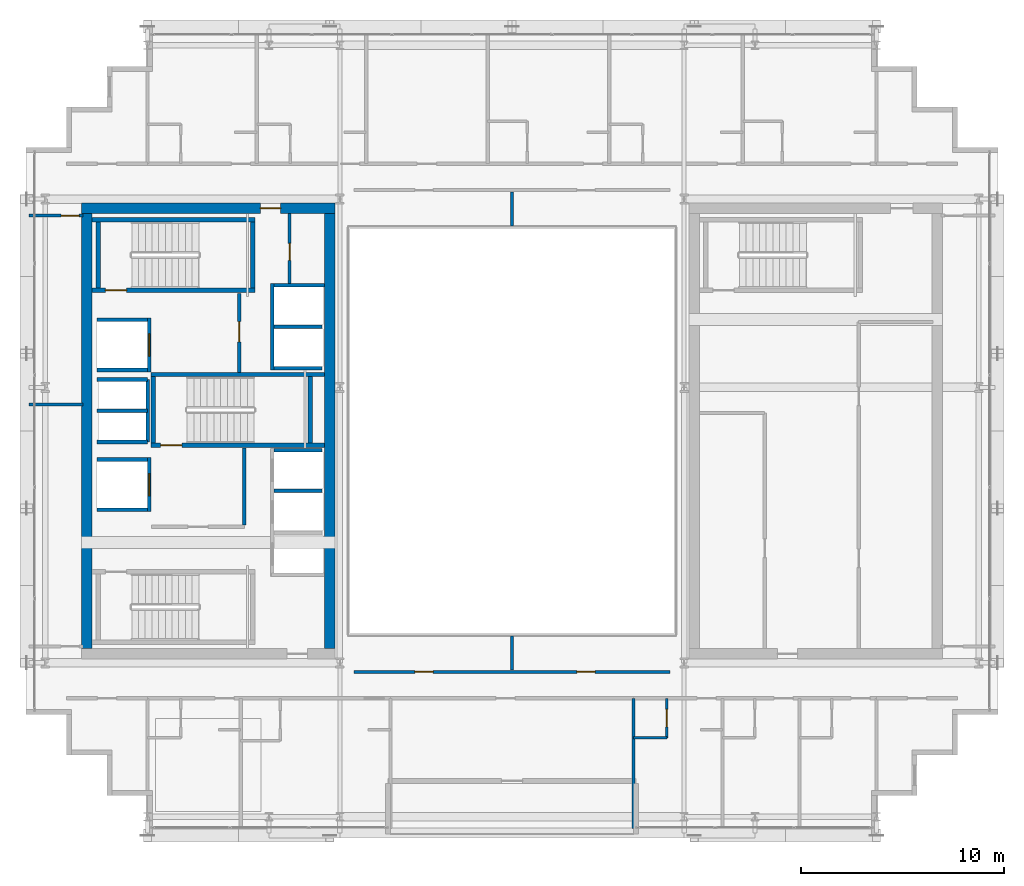
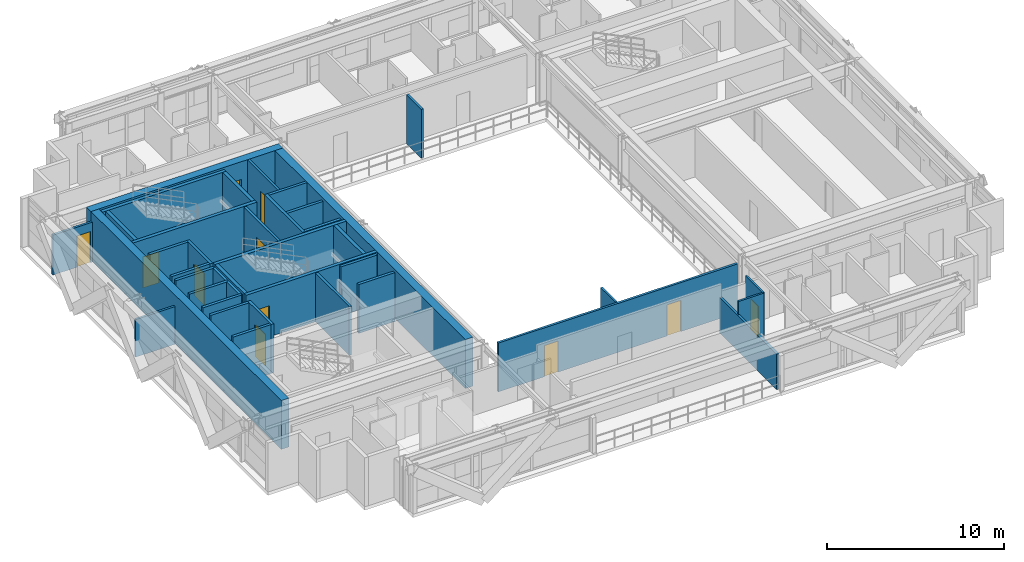
# One storey, part 25 of 32: 38 walls, 11 doors, 11 openings.
"""IFC4 building model written with IfcOpenShell, lengths in metres."""

from ifc_helpers import new_model, si_unit, direction, frame, frame_2d, origin, place, context, subcontext, project, spatial, rectangle, extrude, source, transform, mapped, material, layer, layer_set, type_object, element, fill, save


model = new_model("IFC4")

# Units and contexts
model_context = context("Model", 3, precision=1e-05, world=origin(), true_north=direction((0.0, 1.0)))
body_context = subcontext(model_context, "Body", "Model", "MODEL_VIEW")
ifc_project = project(units=[si_unit("LENGTHUNIT", "METRE"), si_unit("AREAUNIT", "SQUARE_METRE"), si_unit("VOLUMEUNIT", "CUBIC_METRE"), si_unit("PLANEANGLEUNIT", "RADIAN"), si_unit("MASSUNIT", "GRAM", prefix="KILO")], contexts=[model_context])

# Site, building, storey
site_placement = place(None, origin())
site = spatial("IfcSite", under=ifc_project, at=site_placement, CompositionType="ELEMENT")
building_placement = place(site_placement, origin())
building = spatial("IfcBuilding", under=site, at=building_placement, Name="Ocotamira Hotel", CompositionType="ELEMENT")
storey_placement = place(building_placement, frame((0.0, 0.0, 206.39990234375)))
storey = spatial("IfcBuildingStorey", under=building, at=storey_placement, Name="L52", CompositionType="ELEMENT", Elevation=206.39990234375)

# Wall, opening, door
ifc_material_1 = material(Name="Concrete C50/60", Category="concrete")
ifc_layer_1 = layer(ifc_material_1, 0.5)
ifc_layer_set_1 = layer_set([ifc_layer_1], Name="Concrete C50/60")
wall_type_1 = type_object("IfcWallType", Name="WL-CORE-500", PredefinedType="SHEAR", material=ifc_layer_set_1)
wall_1_placement = place(storey_placement, frame((10.75, 37.0, 0.0), z_axis=(0.0, 0.0, 1.0), x_axis=(1.0, 0.0, 0.0)))
wall_1 = element("IfcWall", 1, at=wall_1_placement, inside=storey, type_object=wall_type_1, Name="L52 Shear Core Wall WCORE-N", PredefinedType="SHEAR", context=body_context, shape_type="SweptSolid", body=[
    extrude(rectangle(XDim=12.5, YDim=0.5, at=frame_2d((6.25, 0.0))), origin(), (0.0, 0.0, 1.0), 3.3701171875),
])
opening_1_placement = place(wall_1_placement, frame((8.830078125, 0.0, 0.0)))
opening_1 = element("IfcOpeningElement", 2, at=opening_1_placement, cuts=wall_1, Name="Opening D-FR2", PredefinedType="OPENING", context=body_context, shape_type="SweptSolid", body=[
    extrude(rectangle(XDim=1.0, YDim=2.14990234375, at=frame_2d((0.5, 1.074951171875))), frame((0.0, 0.260009765625, 0.0), z_axis=(0.0, -1.0, 0.0), x_axis=(1.0, 0.0, 0.0)), (0.0, 0.0, 1.0), 0.52001953125),
])
ifc_material_2 = material(Name="Fire-rated acoustic timber-veneer door", Category="wood")
door_type_1 = type_object("IfcDoorType", Name="DR-FIRE-1000", OperationType="NOTDEFINED", PredefinedType="DOOR", material=ifc_material_2)
shared_shape_1 = source(origin(), body_context, "Body", "SweptSolid", [
    extrude(rectangle(XDim=1.0, YDim=2.14990234375, at=frame_2d((0.5, 1.074951171875))), frame((0.0, 0.02490234375, 0.0), z_axis=(0.0, -1.0, 0.0), x_axis=(1.0, 0.0, 0.0)), (0.0, 0.0, 1.0), 0.050048828125),
])
door_1_placement = place(opening_1_placement, origin())
door_1 = element("IfcDoor", 3, at=door_1_placement, inside=storey, type_object=door_type_1, Name="L52 Door ID-L52-WLOB-N-D [ID-L52-WLOB-N-D]", OperationType="SINGLE_SWING_RIGHT", OverallHeight=2.14990234375, OverallWidth=1.0, PredefinedType="DOOR", context=body_context, shape_type="MappedRepresentation", body=[
    mapped(shared_shape_1, transform((0.0, 0.0, 0.0), scale=1.0)),
])
fill(opening_1, door_1)

# Walls
for number, where, z_axis, x_axis, name in (
    (4, (11.0, 15.25, 0.0), (0.0, 0.0, 1.0), (0.0, 1.0, 0.0), "L52 Shear Core Wall WCORE-W"),
    (5, (23.0, 15.25, 0.0), (0.0, 0.0, 1.0), (0.0, 1.0, 0.0), "L52 Shear Core Wall WCORE-E"),
):
    element("IfcWall", number, at=place(storey_placement, frame(where, z_axis=z_axis, x_axis=x_axis)), inside=storey, type_object=wall_type_1, Name=name, PredefinedType="SHEAR", context=body_context, shape_type="SweptSolid", body=[
        extrude(rectangle(XDim=21.5, YDim=0.5, at=frame_2d((10.75, 0.0))), origin(), (0.0, 0.0, 1.0), 3.3701171875),
    ])
ifc_material_3 = material(Name="Acoustic double-layer fire gypsum board partition", Category="gypsum")
ifc_layer_2 = layer(ifc_material_3, 0.159912109375)
ifc_layer_set_2 = layer_set([ifc_layer_2], Name="Acoustic double-layer fire gypsum board partition")
wall_type_2 = type_object("IfcWallType", Name="WL-FIRE-160", PredefinedType="PARTITIONING", material=ifc_layer_set_2)
wall_2_placement = place(storey_placement, frame((18.780029296875, 21.35009765625, 0.0), z_axis=(0.0, 0.0, 1.0), x_axis=(0.0, 1.0, 0.0)))
element("IfcWall", 6, at=wall_2_placement, inside=storey, type_object=wall_type_2, Name="L52 Interior Wall PW-L52-FSAE1-E", PredefinedType="PARTITIONING", context=body_context, shape_type="SweptSolid", body=[
    extrude(rectangle(XDim=3.809814453125, YDim=0.159912109375, at=frame_2d((1.90478515625, 0.0))), origin(), (0.0, 0.0, 1.0), 3.3701171875),
])

# Wall, opening, door
wall_3_placement = place(storey_placement, frame((18.530029296875, 28.89990234375, 0.0), z_axis=(0.0, 0.0, 1.0), x_axis=(0.0, 1.0, 0.0)))
wall_3 = element("IfcWall", 7, at=wall_3_placement, inside=storey, type_object=wall_type_2, Name="L52 Interior Wall PW-L52-FSAE2-E", PredefinedType="PARTITIONING", context=body_context, shape_type="SweptSolid", body=[
    extrude(rectangle(XDim=3.900146484375, YDim=0.159912109375, at=frame_2d((1.9501953125, 0.0))), origin(), (0.0, 0.0, 1.0), 3.3701171875),
])
opening_2_placement = place(wall_3_placement, frame((1.5, 0.0, 0.0)))
opening_2 = element("IfcOpeningElement", 8, at=opening_2_placement, cuts=wall_3, Name="Opening D-FR2", PredefinedType="OPENING", context=body_context, shape_type="SweptSolid", body=[
    extrude(rectangle(XDim=1.0, YDim=2.14990234375, at=frame_2d((0.5, 1.074951171875))), frame((0.0, 0.08984375, 0.0), z_axis=(0.0, -1.0, 0.0), x_axis=(1.0, 0.0, 0.0)), (0.0, 0.0, 1.0), 0.179931640625),
])
door_2_placement = place(opening_2_placement, origin())
door_2 = element("IfcDoor", 9, at=door_2_placement, inside=storey, type_object=door_type_1, Name="L52 Door ID-L52-FSAE2-D [ID-L52-FSAE2-D]", OperationType="SINGLE_SWING_RIGHT", OverallHeight=2.14990234375, OverallWidth=1.0, PredefinedType="DOOR", context=body_context, shape_type="MappedRepresentation", body=[
    mapped(shared_shape_1, transform((0.0, 0.0, 0.0), scale=1.0)),
])
fill(opening_2, door_2)

ifc_material_4 = material(Name="Moisture-resistant en-suite tile and gypsum partition", Category="gypsum")
ifc_layer_3 = layer(ifc_material_4, 0.1201171875)
ifc_layer_set_3 = layer_set([ifc_layer_3], Name="Moisture-resistant en-suite tile and gypsum partition")
wall_type_3 = type_object("IfcWallType", Name="WL-PART-120", PredefinedType="PARTITIONING", material=ifc_layer_set_3)
wall_4_placement = place(storey_placement, frame((39.64990234375, 10.85009765625, 0.0), z_axis=(0.0, 0.0, 1.0), x_axis=(0.0, 1.0, 0.0)))
wall_4 = element("IfcWall", 10, at=wall_4_placement, inside=storey, type_object=wall_type_3, Name="L52 Interior Wall PW-L52-Z3ESE-BAE1", PredefinedType="PARTITIONING", context=body_context, shape_type="SweptSolid", body=[
    extrude(rectangle(XDim=1.949951171875, YDim=0.1201171875, at=frame_2d((0.97509765625, 0.0))), origin(), (0.0, 0.0, 1.0), 3.3701171875),
])
opening_3_placement = place(wall_4_placement, frame((0.544921875, 0.0, 0.0)))
opening_3 = element("IfcOpeningElement", 11, at=opening_3_placement, cuts=wall_4, Name="Opening D-BA1", PredefinedType="OPENING", context=body_context, shape_type="SweptSolid", body=[
    extrude(rectangle(XDim=0.860107421875, YDim=2.10009765625, at=frame_2d((0.43017578125, 1.050048828125))), frame((0.0, 0.070068359375, 0.0), z_axis=(0.0, -1.0, 0.0), x_axis=(1.0, 0.0, 0.0)), (0.0, 0.0, 1.0), 0.14013671875),
])
ifc_material_5 = material(Name="Moisture-sealed en-suite timber door", Category="wood")
door_type_2 = type_object("IfcDoorType", Name="DR-BATH-860", OperationType="NOTDEFINED", PredefinedType="DOOR", material=ifc_material_5)
shared_shape_2 = source(origin(), body_context, "Body", "SweptSolid", [
    extrude(rectangle(XDim=0.860107421875, YDim=2.10009765625, at=frame_2d((0.43017578125, 1.050048828125))), frame((0.0, 0.02490234375, 0.0), z_axis=(0.0, -1.0, 0.0), x_axis=(1.0, 0.0, 0.0)), (0.0, 0.0, 1.0), 0.050048828125),
])
door_3_placement = place(opening_3_placement, origin())
door_3 = element("IfcDoor", 12, at=door_3_placement, inside=storey, type_object=door_type_2, Name="L52 Door ID-L52-Z3ESE-BAD1 [ID-L52-Z3ESE-BAD1]", OperationType="SINGLE_SWING_RIGHT", OverallHeight=2.10009765625, OverallWidth=0.860107421875, PredefinedType="DOOR", context=body_context, shape_type="MappedRepresentation", body=[
    mapped(shared_shape_2, transform((0.0, 0.0, 0.0), scale=1.0)),
])
fill(opening_3, door_3)

# Wall
wall_5_placement = place(storey_placement, frame((38.0, 10.85009765625, 0.0), z_axis=(0.0, 0.0, 1.0), x_axis=(1.0, 0.0, 0.0)))
element("IfcWall", 13, at=wall_5_placement, inside=storey, type_object=wall_type_3, Name="L52 Interior Wall PW-L52-Z3ESE-BAS1", PredefinedType="PARTITIONING", context=body_context, shape_type="SweptSolid", body=[
    extrude(rectangle(XDim=1.64990234375, YDim=0.1201171875, at=frame_2d((0.824951171875, 0.0))), origin(), (0.0, 0.0, 1.0), 3.3701171875),
])

# Wall, opening, door
ifc_material_6 = material(Name="Acoustic hospitality gypsum board partition", Category="gypsum")
ifc_layer_4 = layer(ifc_material_6, 0.14208984375)
ifc_layer_set_4 = layer_set([ifc_layer_4], Name="Acoustic hospitality gypsum board partition")
wall_type_4 = type_object("IfcWallType", Name="WL-PART-142", PredefinedType="PARTITIONING", material=ifc_layer_set_4)
wall_6_placement = place(storey_placement, frame((21.02001953125, 33.280029296875, 0.0), z_axis=(0.0, 0.0, 1.0), x_axis=(0.0, 1.0, 0.0)))
wall_6 = element("IfcWall", 14, at=wall_6_placement, inside=storey, type_object=wall_type_4, Name="L52 Interior Wall PW-L52-WC-NE-W", PredefinedType="PARTITIONING", context=body_context, shape_type="SweptSolid", body=[
    extrude(rectangle(XDim=3.469970703125, YDim=0.14208984375, at=frame_2d((1.73486328125, 0.0))), origin(), (0.0, 0.0, 1.0), 3.3701171875),
])
opening_4_placement = place(wall_6_placement, frame((1.14990234375, 0.0, 0.0)))
opening_4 = element("IfcOpeningElement", 15, at=opening_4_placement, cuts=wall_6, Name="Opening D-SV1", PredefinedType="OPENING", context=body_context, shape_type="SweptSolid", body=[
    extrude(rectangle(XDim=0.840087890625, YDim=2.10009765625, at=frame_2d((0.419921875, 1.050048828125))), frame((0.0, 0.0810546875, 0.0), z_axis=(0.0, -1.0, 0.0), x_axis=(1.0, 0.0, 0.0)), (0.0, 0.0, 1.0), 0.162109375),
])
ifc_material_7 = material(Name="Fire-rated painted steel service door", Category="steel")
door_type_3 = type_object("IfcDoorType", Name="DR-SERV-840", OperationType="NOTDEFINED", PredefinedType="DOOR", material=ifc_material_7)
shared_shape_3 = source(origin(), body_context, "Body", "SweptSolid", [
    extrude(rectangle(XDim=0.840087890625, YDim=2.10009765625, at=frame_2d((0.419921875, 1.050048828125))), frame((0.0, 0.02490234375, 0.0), z_axis=(0.0, -1.0, 0.0), x_axis=(1.0, 0.0, 0.0)), (0.0, 0.0, 1.0), 0.050048828125),
])
door_4_placement = place(opening_4_placement, origin())
door_4 = element("IfcDoor", 16, at=door_4_placement, inside=storey, type_object=door_type_3, Name="L52 Door ID-L52-WC-NE-D [ID-L52-WC-NE-D]", OperationType="SINGLE_SWING_LEFT", OverallHeight=2.10009765625, OverallWidth=0.840087890625, PredefinedType="DOOR", context=body_context, shape_type="MappedRepresentation", body=[
    mapped(shared_shape_3, transform((0.0, 0.0, 0.0), scale=1.0)),
])
fill(opening_4, door_4)

# Walls
for number, where, z_axis, x_axis, name in (
    (17, (32.0, 14.199951171875, 0.0), (0.0, 0.0, 1.0), (0.0, 1.0, 0.0), "L52 Interior Wall PW-L52-Z3E-ASD1"),
    (18, (32.0, 36.1201171875, 0.0), (0.0, 0.0, 1.0), (0.0, 1.0, 0.0), "L52 Interior Wall PW-L52-Z3E-AND1"),
):
    element("IfcWall", number, at=place(storey_placement, frame(where, z_axis=z_axis, x_axis=x_axis)), inside=storey, type_object=wall_type_4, Name=name, PredefinedType="PARTITIONING", context=body_context, shape_type="SweptSolid", body=[
        extrude(rectangle(XDim=1.679931640625, YDim=0.14208984375, at=frame_2d((0.83984375, 0.0))), origin(), (0.0, 0.0, 1.0), 3.3701171875),
    ])
wall_7_placement = place(storey_placement, frame((8.159912109375, 27.300048828125, 0.0), z_axis=(0.0, 0.0, 1.0), x_axis=(1.0, 0.0, 0.0)))
element("IfcWall", 19, at=wall_7_placement, inside=storey, type_object=wall_type_4, Name="L52 Interior Wall PW-L52-Z3E-WF-DV1", PredefinedType="PARTITIONING", context=body_context, shape_type="SweptSolid", body=[
    extrude(rectangle(XDim=2.66015625, YDim=0.14208984375, at=frame_2d((1.330078125, 0.0))), origin(), (0.0, 0.0, 1.0), 2.591064453125),
])

# Wall, openings, doors
ifc_layer_5 = layer(ifc_material_6, 0.14990234375)
ifc_layer_set_5 = layer_set([ifc_layer_5], Name="Acoustic hospitality gypsum board partition")
wall_type_5 = type_object("IfcWallType", Name="WL-PART-150", PredefinedType="PARTITIONING", material=ifc_layer_set_5)
wall_8_placement = place(storey_placement, frame((24.199951171875, 14.10009765625, 0.0), z_axis=(0.0, 0.0, 1.0), x_axis=(1.0, 0.0, 0.0)))
wall_8 = element("IfcWall", 20, at=wall_8_placement, inside=storey, type_object=wall_type_5, Name="L52 Interior Wall PW-L52-Z3E-ATRSW", PredefinedType="PARTITIONING", context=body_context, shape_type="SweptSolid", body=[
    extrude(rectangle(XDim=15.60009765625, YDim=0.14990234375, at=frame_2d((7.800048828125, 0.0))), origin(), (0.0, 0.0, 1.0), 3.3701171875),
])
opening_5_placement = place(wall_8_placement, frame((3.0, 0.0, 0.0)))
opening_5 = element("IfcOpeningElement", 21, at=opening_5_placement, cuts=wall_8, Name="Opening D-IN3", PredefinedType="OPENING", context=body_context, shape_type="SweptSolid", body=[
    extrude(rectangle(XDim=0.89990234375, YDim=2.14990234375, at=frame_2d((0.449951171875, 1.074951171875))), frame((0.0, 0.0849609375, 0.0), z_axis=(0.0, -1.0, 0.0), x_axis=(1.0, 0.0, 0.0)), (0.0, 0.0, 1.0), 0.169921875),
])
opening_6_placement = place(wall_8_placement, frame((11.0, 0.0, 0.0)))
opening_6 = element("IfcOpeningElement", 22, at=opening_6_placement, cuts=wall_8, Name="Opening D-IN3", PredefinedType="OPENING", context=body_context, shape_type="SweptSolid", body=[
    extrude(rectangle(XDim=0.89990234375, YDim=2.14990234375, at=frame_2d((0.449951171875, 1.074951171875))), frame((0.0, 0.0849609375, 0.0), z_axis=(0.0, -1.0, 0.0), x_axis=(1.0, 0.0, 0.0)), (0.0, 0.0, 1.0), 0.169921875),
])
ifc_material_8 = material(Name="Painted service room door", Category="steel")
door_type_4 = type_object("IfcDoorType", Name="DR-INT-900", OperationType="NOTDEFINED", PredefinedType="DOOR", material=ifc_material_8)
shared_shape_4 = source(origin(), body_context, "Body", "SweptSolid", [
    extrude(rectangle(XDim=0.89990234375, YDim=2.14990234375, at=frame_2d((0.449951171875, 1.074951171875))), frame((0.0, 0.02490234375, 0.0), z_axis=(0.0, -1.0, 0.0), x_axis=(1.0, 0.0, 0.0)), (0.0, 0.0, 1.0), 0.050048828125),
])
door_5_placement = place(opening_5_placement, origin())
door_5 = element("IfcDoor", 23, at=door_5_placement, inside=storey, type_object=door_type_4, Name="L52 Door ID-L52-Z3E-ASD1D [ID-L52-Z3E-ASD1D]", OperationType="SINGLE_SWING_LEFT", OverallHeight=2.14990234375, OverallWidth=0.89990234375, PredefinedType="DOOR", context=body_context, shape_type="MappedRepresentation", body=[
    mapped(shared_shape_4, transform((0.0, 0.0, 0.0), scale=1.0)),
])
fill(opening_5, door_5)
door_6_placement = place(opening_6_placement, origin())
door_6 = element("IfcDoor", 24, at=door_6_placement, inside=storey, type_object=door_type_4, Name="L52 Door ID-L52-Z3E-ASD2D [ID-L52-Z3E-ASD2D]", OperationType="SINGLE_SWING_RIGHT", OverallHeight=2.14990234375, OverallWidth=0.89990234375, PredefinedType="DOOR", context=body_context, shape_type="MappedRepresentation", body=[
    mapped(shared_shape_4, transform((0.0, 0.0, 0.0), scale=1.0)),
])
fill(opening_6, door_6)

# Wall, opening, door
wall_9_placement = place(storey_placement, frame((8.159912109375, 36.639892578125, 0.0), z_axis=(0.0, 0.0, 1.0), x_axis=(1.0, 0.0, 0.0)))
wall_9 = element("IfcWall", 25, at=wall_9_placement, inside=storey, type_object=wall_type_5, Name="L52 Interior Wall PW-L52-Z3E-WF-WN", PredefinedType="PARTITIONING", context=body_context, shape_type="SweptSolid", body=[
    extrude(rectangle(XDim=2.66015625, YDim=0.14990234375, at=frame_2d((1.330078125, 0.0))), origin(), (0.0, 0.0, 1.0), 2.753173828125),
])
opening_7_placement = place(wall_9_placement, frame((1.580078125, 0.0, 0.0)))
opening_7 = element("IfcOpeningElement", 26, at=opening_7_placement, cuts=wall_9, Name="Opening D-SV2", PredefinedType="OPENING", context=body_context, shape_type="SweptSolid", body=[
    extrude(rectangle(XDim=0.8798828125, YDim=2.14990234375, at=frame_2d((0.43994140625, 1.074951171875))), frame((0.0, 0.0849609375, 0.0), z_axis=(0.0, -1.0, 0.0), x_axis=(1.0, 0.0, 0.0)), (0.0, 0.0, 1.0), 0.169921875),
])
door_type_5 = type_object("IfcDoorType", Name="DR-SERV-880", OperationType="NOTDEFINED", PredefinedType="DOOR", material=ifc_material_7)
shared_shape_5 = source(origin(), body_context, "Body", "SweptSolid", [
    extrude(rectangle(XDim=0.8798828125, YDim=2.14990234375, at=frame_2d((0.43994140625, 1.074951171875))), frame((0.0, 0.02490234375, 0.0), z_axis=(0.0, -1.0, 0.0), x_axis=(1.0, 0.0, 0.0)), (0.0, 0.0, 1.0), 0.050048828125),
])
door_7_placement = place(opening_7_placement, origin())
door_7 = element("IfcDoor", 27, at=door_7_placement, inside=storey, type_object=door_type_5, Name="L52 Door ID-L52-Z3E-WF-DN [ID-L52-Z3E-WF-DN]", OperationType="SINGLE_SWING_RIGHT", OverallHeight=2.14990234375, OverallWidth=0.8798828125, PredefinedType="DOOR", context=body_context, shape_type="MappedRepresentation", body=[
    mapped(shared_shape_5, transform((0.0, 0.0, 0.0), scale=1.0)),
])
fill(opening_7, door_7)

# Walls
ifc_material_9 = material(Name="Acoustic double-stud hospitality gypsum partition", Category="gypsum")
ifc_layer_6 = layer(ifc_material_9, 0.159912109375)
ifc_layer_set_6 = layer_set([ifc_layer_6], Name="Acoustic double-stud hospitality gypsum partition")
wall_type_6 = type_object("IfcWallType", Name="WL-PART-160", PredefinedType="PARTITIONING", material=ifc_layer_set_6)
wall_10_placement = place(storey_placement, frame((38.0, 6.360107421875, 0.0), z_axis=(0.0, 0.0, 1.0), x_axis=(0.0, 1.0, 0.0)))
element("IfcWall", 28, at=wall_10_placement, inside=storey, type_object=wall_type_6, Name="L52 Interior Wall PW-L52-Z3ESE-PW0", PredefinedType="PARTITIONING", context=body_context, shape_type="SweptSolid", body=[
    extrude(rectangle(XDim=6.43994140625, YDim=0.159912109375, at=frame_2d((3.219970703125, 0.0))), origin(), (0.0, 0.0, 1.0), 2.443115234375),
])
ifc_material_10 = material(Name="Fire-rated gypsum shaftliner board assembly", Category="gypsum")
ifc_layer_7 = layer(ifc_material_10, 0.179931640625)
ifc_layer_set_7 = layer_set([ifc_layer_7], Name="Fire-rated gypsum shaftliner board assembly")
wall_type_7 = type_object("IfcWallType", Name="WL-SHAFT-180", PredefinedType="SOLIDWALL", material=ifc_layer_set_7)
for number, where, z_axis, x_axis, name in (
    (29, (20.25, 25.050048828125, 0.0), (0.0, 0.0, 1.0), (1.0, 0.0, 0.0), "L52 Interior Wall PW-L52-LFW-BANK-high-N"),
    (30, (20.25, 23.044921875, 0.0), (0.0, 0.0, 1.0), (1.0, 0.0, 0.0), "L52 Interior Wall PW-L52-LFW-DIV-LF-P8"),
):
    element("IfcWall", number, at=place(storey_placement, frame(where, z_axis=z_axis, x_axis=x_axis)), inside=storey, type_object=wall_type_7, Name=name, PredefinedType="SOLIDWALL", context=body_context, shape_type="SweptSolid", body=[
        extrude(rectangle(XDim=2.360107421875, YDim=0.179931640625, at=frame_2d((1.18017578125, 0.0))), origin(), (0.0, 0.0, 1.0), 3.3701171875),
    ])
wall_11_placement = place(storey_placement, frame((20.159912109375, 29.0, 0.0), z_axis=(0.0, 0.0, 1.0), x_axis=(0.0, 1.0, 0.0)))
element("IfcWall", 31, at=wall_11_placement, inside=storey, type_object=wall_type_7, Name="L52 Interior Wall PW-L52-LFW-BANK-obs-F", PredefinedType="SOLIDWALL", context=body_context, shape_type="SweptSolid", body=[
    extrude(rectangle(XDim=4.2900390625, YDim=0.179931640625, at=frame_2d((2.14501953125, 0.0))), origin(), (0.0, 0.0, 1.0), 3.3701171875),
])
wall_12_placement = place(storey_placement, frame((20.25, 29.090087890625, 0.0), z_axis=(0.0, 0.0, 1.0), x_axis=(1.0, 0.0, 0.0)))
element("IfcWall", 32, at=wall_12_placement, inside=storey, type_object=wall_type_7, Name="L52 Interior Wall PW-L52-LFW-BANK-obs-S", PredefinedType="SOLIDWALL", context=body_context, shape_type="SweptSolid", body=[
    extrude(rectangle(XDim=2.360107421875, YDim=0.179931640625, at=frame_2d((1.18017578125, 0.0))), origin(), (0.0, 0.0, 1.0), 3.3701171875),
])
wall_13_placement = place(storey_placement, frame((20.25, 33.199951171875, 0.0), z_axis=(0.0, 0.0, 1.0), x_axis=(1.0, 0.0, 0.0)))
element("IfcWall", 33, at=wall_13_placement, inside=storey, type_object=wall_type_7, Name="L52 Interior Wall PW-L52-LFW-BANK-obs-N", PredefinedType="SOLIDWALL", context=body_context, shape_type="SweptSolid", body=[
    extrude(rectangle(XDim=2.5, YDim=0.179931640625, at=frame_2d((1.25, 0.0))), origin(), (0.0, 0.0, 1.0), 3.3701171875),
])
wall_14_placement = place(storey_placement, frame((20.25, 31.14501953125, 0.0), z_axis=(0.0, 0.0, 1.0), x_axis=(1.0, 0.0, 0.0)))
element("IfcWall", 34, at=wall_14_placement, inside=storey, type_object=wall_type_7, Name="L52 Interior Wall PW-L52-LFW-DIV-LF-OBS1", PredefinedType="SOLIDWALL", context=body_context, shape_type="SweptSolid", body=[
    extrude(rectangle(XDim=2.360107421875, YDim=0.179931640625, at=frame_2d((1.18017578125, 0.0))), origin(), (0.0, 0.0, 1.0), 3.3701171875),
])
for number, where, z_axis, x_axis, name in (
    (35, (11.5, 22.110107421875, 0.0), (0.0, 0.0, 1.0), (1.0, 0.0, 0.0), "L52 Interior Wall PW-L52-LFW-LF-FSAE1-S"),
    (36, (11.5, 24.590087890625, 0.0), (0.0, 0.0, 1.0), (1.0, 0.0, 0.0), "L52 Interior Wall PW-L52-LFW-LF-FSAE1-N"),
):
    element("IfcWall", number, at=place(storey_placement, frame(where, z_axis=z_axis, x_axis=x_axis)), inside=storey, type_object=wall_type_7, Name=name, PredefinedType="SOLIDWALL", context=body_context, shape_type="SweptSolid", body=[
        extrude(rectangle(XDim=2.5, YDim=0.179931640625, at=frame_2d((1.25, 0.0))), origin(), (0.0, 0.0, 1.0), 3.3701171875),
    ])

# Wall, opening, door
wall_15_placement = place(storey_placement, frame((14.090087890625, 22.02001953125, 0.0), z_axis=(0.0, 0.0, 1.0), x_axis=(0.0, 1.0, 0.0)))
wall_15 = element("IfcWall", 37, at=wall_15_placement, inside=storey, type_object=wall_type_7, Name="L52 Interior Wall PW-L52-LFW-LF-FSAE1-E", PredefinedType="SOLIDWALL", context=body_context, shape_type="SweptSolid", body=[
    extrude(rectangle(XDim=2.659912109375, YDim=0.179931640625, at=frame_2d((1.330078125, 0.0))), origin(), (0.0, 0.0, 1.0), 3.3701171875),
])
opening_8_placement = place(wall_15_placement, frame((0.780029296875, 0.0, 0.0)))
opening_8 = element("IfcOpeningElement", 38, at=opening_8_placement, cuts=wall_15, Name="Opening LD-LF-FSAE1", PredefinedType="OPENING", context=body_context, shape_type="SweptSolid", body=[
    extrude(rectangle(XDim=1.10009765625, YDim=2.199951171875, at=frame_2d((0.550048828125, 1.10009765625))), frame((0.0, 0.10009765625, 0.0), z_axis=(0.0, -1.0, 0.0), x_axis=(1.0, 0.0, 0.0)), (0.0, 0.0, 1.0), 0.199951171875),
])
ifc_material_11 = material(Name="Brushed pale-metal stainless elevator landing door", Category="steel")
door_type_6 = type_object("IfcDoorType", Name="DR-LIFT-1100", OperationType="NOTDEFINED", PredefinedType="DOOR", material=ifc_material_11)
shared_shape_6 = source(origin(), body_context, "Body", "SweptSolid", [
    extrude(rectangle(XDim=1.10009765625, YDim=2.199951171875, at=frame_2d((0.550048828125, 1.10009765625))), frame((0.0, 0.02490234375, 0.0), z_axis=(0.0, -1.0, 0.0), x_axis=(1.0, 0.0, 0.0)), (0.0, 0.0, 1.0), 0.050048828125),
])
door_8_placement = place(opening_8_placement, origin())
door_8 = element("IfcDoor", 39, at=door_8_placement, inside=storey, type_object=door_type_6, Name="L52 Landing Door LD-LF-FSAE1 [ID-L52-LD-LF-FSAE1]", OperationType="DOUBLE_DOOR_SLIDING", OverallHeight=2.199951171875, OverallWidth=1.10009765625, PredefinedType="DOOR", context=body_context, shape_type="MappedRepresentation", body=[
    mapped(shared_shape_6, transform((0.0, 0.0, 0.0), scale=1.0)),
])
fill(opening_8, door_8)

# Walls
for number, where, z_axis, x_axis, name in (
    (40, (11.5, 29.010009765625, 0.0), (0.0, 0.0, 1.0), (1.0, 0.0, 0.0), "L52 Interior Wall PW-L52-LFW-LF-FSAE2-S"),
    (41, (11.5, 31.489990234375, 0.0), (0.0, 0.0, 1.0), (1.0, 0.0, 0.0), "L52 Interior Wall PW-L52-LFW-LF-FSAE2-N"),
):
    element("IfcWall", number, at=place(storey_placement, frame(where, z_axis=z_axis, x_axis=x_axis)), inside=storey, type_object=wall_type_7, Name=name, PredefinedType="SOLIDWALL", context=body_context, shape_type="SweptSolid", body=[
        extrude(rectangle(XDim=2.5, YDim=0.179931640625, at=frame_2d((1.25, 0.0))), origin(), (0.0, 0.0, 1.0), 3.3701171875),
    ])

# Wall, opening, door
wall_16_placement = place(storey_placement, frame((14.090087890625, 28.919921875, 0.0), z_axis=(0.0, 0.0, 1.0), x_axis=(0.0, 1.0, 0.0)))
wall_16 = element("IfcWall", 42, at=wall_16_placement, inside=storey, type_object=wall_type_7, Name="L52 Interior Wall PW-L52-LFW-LF-FSAE2-E", PredefinedType="SOLIDWALL", context=body_context, shape_type="SweptSolid", body=[
    extrude(rectangle(XDim=2.66015625, YDim=0.179931640625, at=frame_2d((1.330078125, 0.0))), origin(), (0.0, 0.0, 1.0), 3.3701171875),
])
opening_9_placement = place(wall_16_placement, frame((0.780029296875, 0.0, 0.0)))
opening_9 = element("IfcOpeningElement", 43, at=opening_9_placement, cuts=wall_16, Name="Opening LD-LF-FSAE2", PredefinedType="OPENING", context=body_context, shape_type="SweptSolid", body=[
    extrude(rectangle(XDim=1.10009765625, YDim=2.199951171875, at=frame_2d((0.550048828125, 1.10009765625))), frame((0.0, 0.10009765625, 0.0), z_axis=(0.0, -1.0, 0.0), x_axis=(1.0, 0.0, 0.0)), (0.0, 0.0, 1.0), 0.199951171875),
])
door_9_placement = place(opening_9_placement, origin())
door_9 = element("IfcDoor", 44, at=door_9_placement, inside=storey, type_object=door_type_6, Name="L52 Landing Door LD-LF-FSAE2 [ID-L52-LD-LF-FSAE2]", OperationType="DOUBLE_DOOR_SLIDING", OverallHeight=2.199951171875, OverallWidth=1.10009765625, PredefinedType="DOOR", context=body_context, shape_type="MappedRepresentation", body=[
    mapped(shared_shape_6, transform((0.0, 0.0, 0.0), scale=1.0)),
])
fill(opening_9, door_9)

# Walls
for number, where, z_axis, x_axis, name in (
    (45, (11.5, 25.4599609375, 0.0), (0.0, 0.0, 1.0), (1.0, 0.0, 0.0), "L52 Interior Wall PW-L52-RSW-S"),
    (46, (11.5, 27.0, 0.0), (0.0, 0.0, 1.0), (1.0, 0.0, 0.0), "L52 Interior Wall PW-L52-RSW-MID"),
    (47, (11.5, 28.5400390625, 0.0), (0.0, 0.0, 1.0), (1.0, 0.0, 0.0), "L52 Interior Wall PW-L52-RSW-N"),
):
    element("IfcWall", number, at=place(storey_placement, frame(where, z_axis=z_axis, x_axis=x_axis)), inside=storey, type_object=wall_type_7, Name=name, PredefinedType="SOLIDWALL", context=body_context, shape_type="SweptSolid", body=[
        extrude(rectangle(XDim=2.510009765625, YDim=0.179931640625, at=frame_2d((1.2548828125, 0.0))), origin(), (0.0, 0.0, 1.0), 3.3701171875),
    ])
wall_17_placement = place(storey_placement, frame((14.010009765625, 25.4599609375, 0.0), z_axis=(0.0, 0.0, 1.0), x_axis=(0.0, 1.0, 0.0)))
element("IfcWall", 48, at=wall_17_placement, inside=storey, type_object=wall_type_7, Name="L52 Interior Wall PW-L52-RSW-E", PredefinedType="SOLIDWALL", context=body_context, shape_type="SweptSolid", body=[
    extrude(rectangle(XDim=3.080078125, YDim=0.179931640625, at=frame_2d((1.5400390625, 0.0))), origin(), (0.0, 0.0, 1.0), 3.3701171875),
])

# Wall, opening, door
ifc_layer_8 = layer(ifc_material_1, 0.219970703125)
ifc_layer_set_8 = layer_set([ifc_layer_8], Name="Concrete C50/60")
wall_type_8 = type_object("IfcWallType", Name="WL-STAIR-220", PredefinedType="SHEAR", material=ifc_layer_set_8)
wall_18_placement = place(storey_placement, frame((11.25, 32.93994140625, 0.0), z_axis=(0.0, 0.0, 1.0), x_axis=(1.0, 0.0, 0.0)))
wall_18 = element("IfcWall", 49, at=wall_18_placement, inside=storey, type_object=wall_type_8, Name="L52 Stair Shaft Structural Wall ST-2-S", PredefinedType="SHEAR", context=body_context, shape_type="SweptSolid", body=[
    extrude(rectangle(XDim=8.06005859375, YDim=0.219970703125, at=frame_2d((4.030029296875, 0.0))), origin(), (0.0, 0.0, 1.0), 3.400146484375),
])
opening_10_placement = place(wall_18_placement, frame((0.669921875, 0.0, 0.0)))
opening_10 = element("IfcOpeningElement", 50, at=opening_10_placement, cuts=wall_18, Name="Opening D-ST2", PredefinedType="OPENING", context=body_context, shape_type="SweptSolid", body=[
    extrude(rectangle(XDim=1.050048828125, YDim=2.14990234375, at=frame_2d((0.52490234375, 1.074951171875))), frame((0.0, 0.1201171875, 0.0), z_axis=(0.0, -1.0, 0.0), x_axis=(1.0, 0.0, 0.0)), (0.0, 0.0, 1.0), 0.239990234375),
])
ifc_material_12 = material(Name="Insulated painted hollow-metal fire exit door", Category="steel")
door_type_7 = type_object("IfcDoorType", Name="DR-STAIR-1050", OperationType="NOTDEFINED", PredefinedType="DOOR", material=ifc_material_12)
shared_shape_7 = source(origin(), body_context, "Body", "SweptSolid", [
    extrude(rectangle(XDim=1.050048828125, YDim=2.14990234375, at=frame_2d((0.52490234375, 1.074951171875))), frame((0.0, 0.02490234375, 0.0), z_axis=(0.0, -1.0, 0.0), x_axis=(1.0, 0.0, 0.0)), (0.0, 0.0, 1.0), 0.050048828125),
])
door_10_placement = place(opening_10_placement, origin())
door_10 = element("IfcDoor", 51, at=door_10_placement, inside=storey, type_object=door_type_7, Name="L52 Door ID-L52-STD-ST-2 [ID-L52-STD-ST-2]", OperationType="SINGLE_SWING_RIGHT", OverallHeight=2.14990234375, OverallWidth=1.050048828125, PredefinedType="DOOR", context=body_context, shape_type="MappedRepresentation", body=[
    mapped(shared_shape_7, transform((0.0, 0.0, 0.0), scale=1.0)),
])
fill(opening_10, door_10)

# Walls
wall_19_placement = place(storey_placement, frame((11.25, 36.43994140625, 0.0), z_axis=(0.0, 0.0, 1.0), x_axis=(1.0, 0.0, 0.0)))
element("IfcWall", 52, at=wall_19_placement, inside=storey, type_object=wall_type_8, Name="L52 Stair Shaft Structural Wall ST-2-N", PredefinedType="SHEAR", context=body_context, shape_type="SweptSolid", body=[
    extrude(rectangle(XDim=8.06005859375, YDim=0.219970703125, at=frame_2d((4.030029296875, 0.0))), origin(), (0.0, 0.0, 1.0), 3.400146484375),
])
for number, where, z_axis, x_axis, name in (
    (53, (11.56005859375, 33.050048828125, 0.0), (0.0, 0.0, 1.0), (0.0, 1.0, 0.0), "L52 Stair Shaft Structural Wall ST-2-W"),
    (54, (19.199951171875, 33.050048828125, 0.0), (0.0, 0.0, 1.0), (0.0, 1.0, 0.0), "L52 Stair Shaft Structural Wall ST-2-E"),
):
    element("IfcWall", number, at=place(storey_placement, frame(where, z_axis=z_axis, x_axis=x_axis)), inside=storey, type_object=wall_type_8, Name=name, PredefinedType="SHEAR", context=body_context, shape_type="SweptSolid", body=[
        extrude(rectangle(XDim=3.280029296875, YDim=0.219970703125, at=frame_2d((1.64013671875, 0.0))), origin(), (0.0, 0.0, 1.0), 3.400146484375),
    ])

# Wall, opening, door
wall_20_placement = place(storey_placement, frame((14.179931640625, 25.2900390625, 0.0), z_axis=(0.0, 0.0, 1.0), x_axis=(1.0, 0.0, 0.0)))
wall_20 = element("IfcWall", 55, at=wall_20_placement, inside=storey, type_object=wall_type_8, Name="L52 Stair Shaft Structural Wall ST-3-S", PredefinedType="SHEAR", context=body_context, shape_type="SweptSolid", body=[
    extrude(rectangle(XDim=8.570068359375, YDim=0.219970703125, at=frame_2d((4.28515625, 0.0))), origin(), (0.0, 0.0, 1.0), 3.400146484375),
])
opening_11_placement = place(wall_20_placement, frame((0.469970703125, 0.0, 0.0)))
opening_11 = element("IfcOpeningElement", 56, at=opening_11_placement, cuts=wall_20, Name="Opening D-ST2", PredefinedType="OPENING", context=body_context, shape_type="SweptSolid", body=[
    extrude(rectangle(XDim=1.050048828125, YDim=2.14990234375, at=frame_2d((0.52490234375, 1.074951171875))), frame((0.0, 0.1201171875, 0.0), z_axis=(0.0, -1.0, 0.0), x_axis=(1.0, 0.0, 0.0)), (0.0, 0.0, 1.0), 0.239990234375),
])
door_11_placement = place(opening_11_placement, origin())
door_11 = element("IfcDoor", 57, at=door_11_placement, inside=storey, type_object=door_type_7, Name="L52 Door ID-L52-STD-ST-3 [ID-L52-STD-ST-3]", OperationType="SINGLE_SWING_LEFT", OverallHeight=2.14990234375, OverallWidth=1.050048828125, PredefinedType="DOOR", context=body_context, shape_type="MappedRepresentation", body=[
    mapped(shared_shape_7, transform((0.0, 0.0, 0.0), scale=1.0)),
])
fill(opening_11, door_11)

# Walls
wall_21_placement = place(storey_placement, frame((14.179931640625, 28.7900390625, 0.0), z_axis=(0.0, 0.0, 1.0), x_axis=(1.0, 0.0, 0.0)))
element("IfcWall", 58, at=wall_21_placement, inside=storey, type_object=wall_type_8, Name="L52 Stair Shaft Structural Wall ST-3-N", PredefinedType="SHEAR", context=body_context, shape_type="SweptSolid", body=[
    extrude(rectangle(XDim=8.570068359375, YDim=0.219970703125, at=frame_2d((4.28515625, 0.0))), origin(), (0.0, 0.0, 1.0), 3.400146484375),
])
for number, where, z_axis, x_axis, name in (
    (59, (14.2900390625, 25.39990234375, 0.0), (0.0, 0.0, 1.0), (0.0, 1.0, 0.0), "L52 Stair Shaft Structural Wall ST-3-W"),
    (60, (22.030029296875, 25.39990234375, 0.0), (0.0, 0.0, 1.0), (0.0, 1.0, 0.0), "L52 Stair Shaft Structural Wall ST-3-E"),
):
    element("IfcWall", number, at=place(storey_placement, frame(where, z_axis=z_axis, x_axis=x_axis)), inside=storey, type_object=wall_type_8, Name=name, PredefinedType="SHEAR", context=body_context, shape_type="SweptSolid", body=[
        extrude(rectangle(XDim=3.280029296875, YDim=0.219970703125, at=frame_2d((1.64013671875, 0.0))), origin(), (0.0, 0.0, 1.0), 3.400146484375),
    ])

save(model, "model.ifc")
